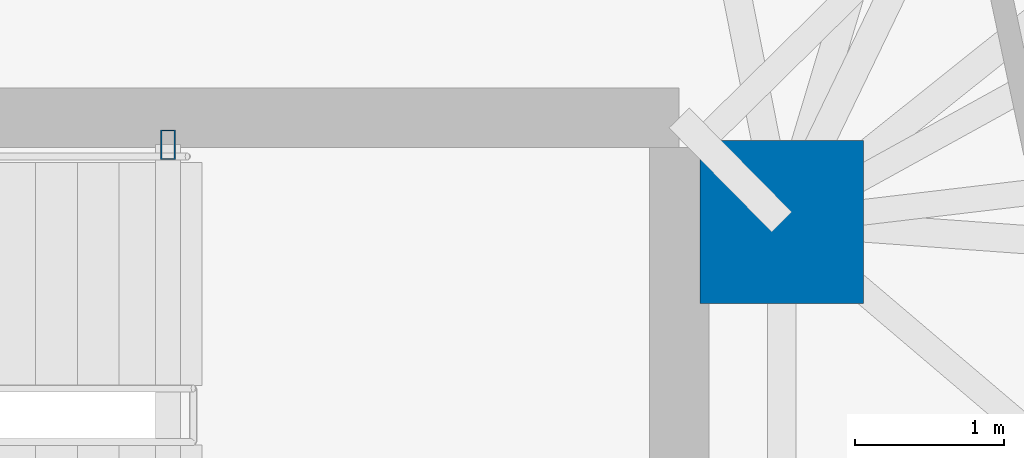
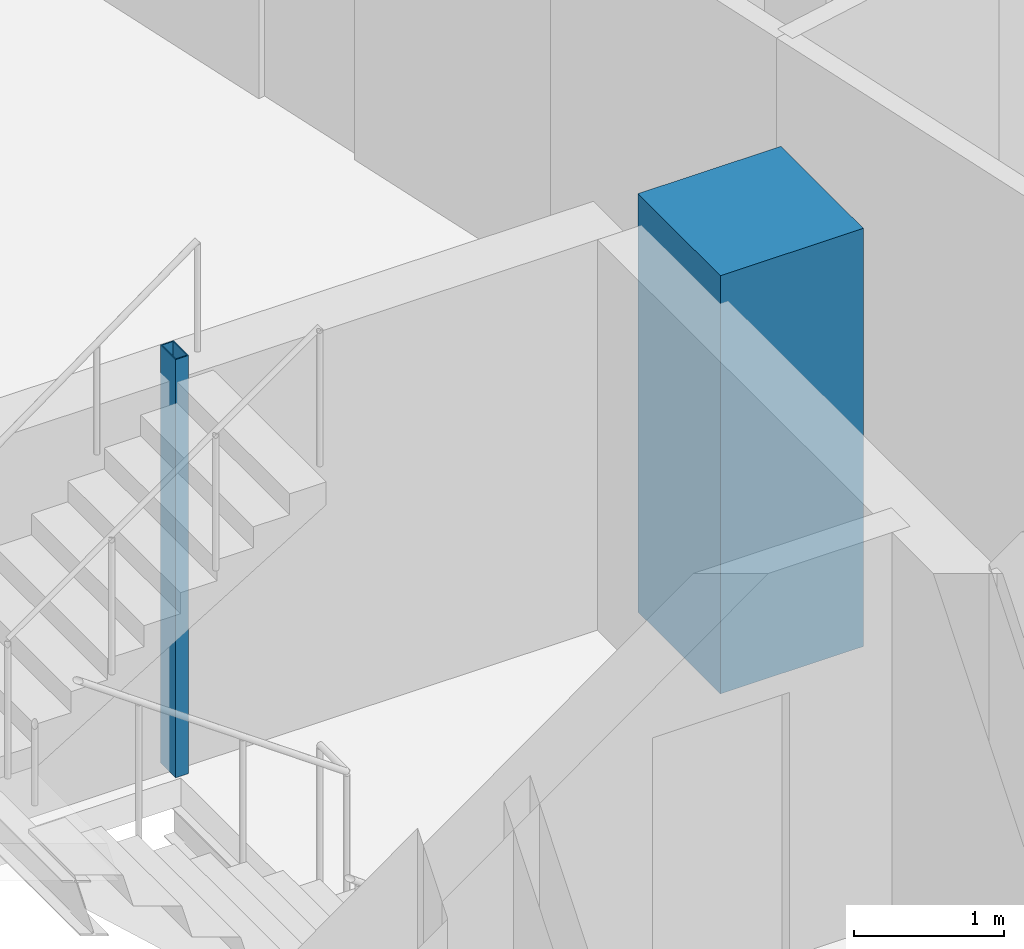
# One storey, part 4 of 21: 2 columns.
"""IFC4 building model written with IfcOpenShell, lengths in metres."""

from ifc_helpers import new_model, si_unit, direction, frame, origin, origin_2d, place, context, subcontext, project, spatial, rectangle, hollow_rectangle, extrude, material, material_profile, profile_set, type_object, element, save


model = new_model("IFC4")

# Units and contexts
model_context = context("Model", 3, precision=1e-05, world=origin(), true_north=direction((0.0, 1.0)))
body_context = subcontext(model_context, "Body", "Model", "MODEL_VIEW")
ifc_project = project(units=[si_unit("LENGTHUNIT", "METRE"), si_unit("AREAUNIT", "SQUARE_METRE"), si_unit("VOLUMEUNIT", "CUBIC_METRE"), si_unit("PLANEANGLEUNIT", "RADIAN"), si_unit("MASSUNIT", "GRAM", prefix="KILO")], contexts=[model_context])

# Site, building, storey
site_placement = place(None, origin())
site = spatial("IfcSite", under=ifc_project, at=site_placement, CompositionType="ELEMENT")
building_placement = place(site_placement, origin())
building = spatial("IfcBuilding", under=site, at=building_placement, Name="Menara Jurai Vektor", CompositionType="ELEMENT")
storey_placement = place(building_placement, frame((0.0, 0.0, 168.39990234375)))
storey = spatial("IfcBuildingStorey", under=building, at=storey_placement, Name="L43", CompositionType="ELEMENT", Elevation=168.39990234375)

# Columns
ifc_material_1 = material(Name="Concrete C50/60", Category="concrete")
ifc_material_profile_1 = material_profile(ifc_material_1, rectangle(XDim=1.10009765625, YDim=1.10009765625, at=origin_2d()), Name="RC 1100x1100")
ifc_profile_set_1 = profile_set([ifc_material_profile_1], Name="Concrete C50/60")
column_type_1 = type_object("IfcColumnType", Name="STR-COL-RC1100", PredefinedType="COLUMN", material=ifc_profile_set_1)
column_1_placement = place(storey_placement, frame((15.25, 4.89990234375, 0.0), z_axis=(0.0, 0.0, 1.0), x_axis=(1.0, 0.0, 0.0)))
element("IfcColumn", 1, at=column_1_placement, inside=storey, type_object=column_type_1, Name="Core Spine Column CE-NE L43", PredefinedType="COLUMN", context=body_context, shape_type="SweptSolid", body=[
    extrude(rectangle(XDim=1.10009765625, YDim=1.10009765625, at=origin_2d()), origin(), (0.0, 0.0, 1.0), 3.400146484375),
])
ifc_material_2 = material(Name="Steel S355", Category="steel")
ifc_material_profile_2 = material_profile(ifc_material_2, hollow_rectangle(XDim=0.10009765625, YDim=0.199951171875, WallThickness=0.008056640625, at=origin_2d()), Name="RHS 200x100x8")
ifc_profile_set_2 = profile_set([ifc_material_profile_2], Name="Steel S355")
column_type_2 = type_object("IfcColumnType", Name="STR-COL-STAIR", PredefinedType="COLUMN", material=ifc_profile_set_2)
column_2_placement = place(storey_placement, frame((11.1201171875, 5.419921875, 0.0), z_axis=(0.0, 0.0, 1.0), x_axis=(1.0, 0.0, 0.0)))
element("IfcColumn", 2, at=column_2_placement, inside=storey, type_object=column_type_2, Name="Stair Well Header Column ST2-P2 L43", PredefinedType="COLUMN", context=body_context, shape_type="SweptSolid", body=[
    extrude(hollow_rectangle(XDim=0.10009765625, YDim=0.199951171875, WallThickness=0.008056640625, at=origin_2d()), origin(), (0.0, 0.0, 1.0), 3.400146484375),
])

save(model, "model.ifc")
